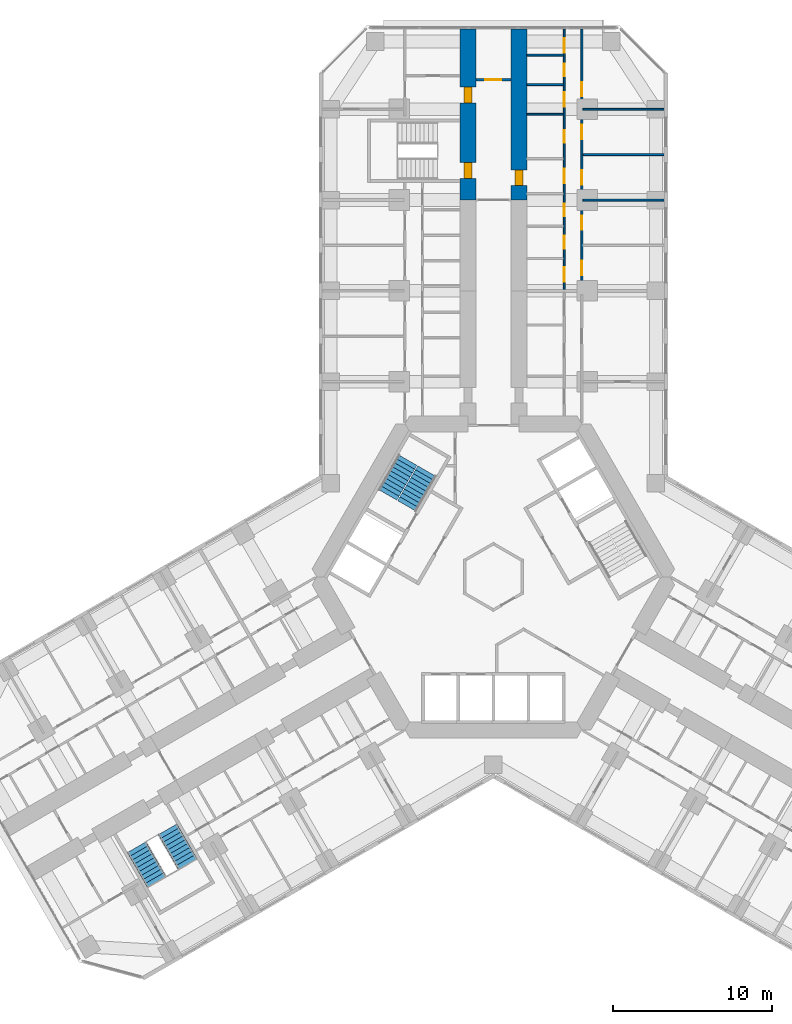
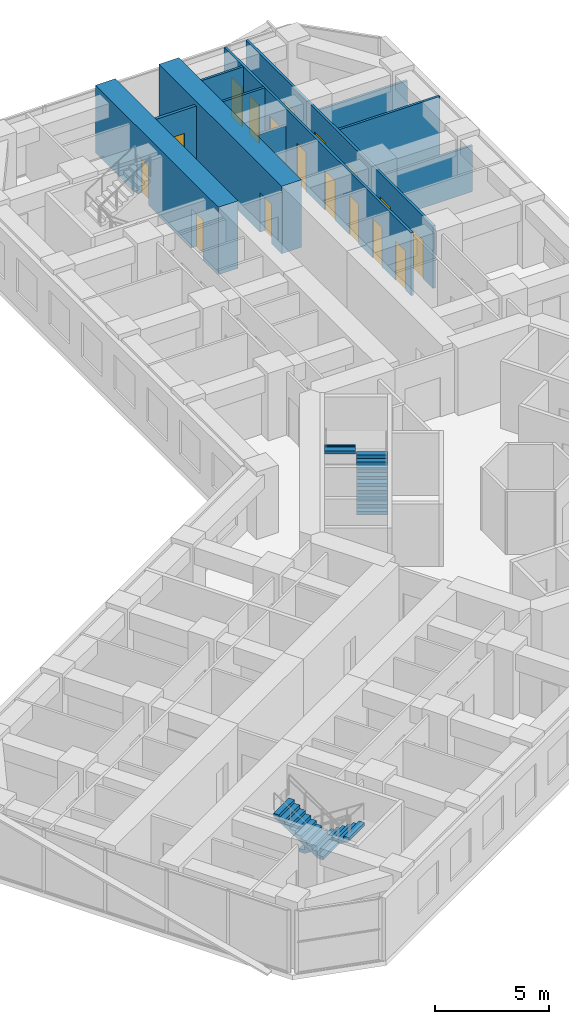
# One storey, part 19 of 21: 17 doors, 11 walls, 4 stair flights, 17 openings, 2 elements without a shape of their own.
"""IFC4 building model written with IfcOpenShell, lengths in metres."""

from ifc_helpers import new_model, si_unit, direction, frame, frame_2d, origin, place, context, subcontext, project, spatial, polyline, rectangle, outline, extrude, material, layer, layer_set, type_object, element, fill, aggregate, save


model = new_model("IFC4")

# Units and contexts
model_context = context("Model", 3, precision=1e-05, world=origin(), true_north=direction((0.0, 1.0)))
body_context = subcontext(model_context, "Body", "Model", "MODEL_VIEW")
ifc_project = project(units=[si_unit("LENGTHUNIT", "METRE"), si_unit("AREAUNIT", "SQUARE_METRE"), si_unit("VOLUMEUNIT", "CUBIC_METRE"), si_unit("PLANEANGLEUNIT", "RADIAN"), si_unit("MASSUNIT", "GRAM", prefix="KILO")], contexts=[model_context])

# Site, building, storey
site_placement = place(None, origin())
site = spatial("IfcSite", under=ifc_project, at=site_placement, CompositionType="ELEMENT")
building_placement = place(site_placement, origin())
building = spatial("IfcBuilding", under=site, at=building_placement, Name="Kosmar Iwan School Tower", CompositionType="ELEMENT")
storey_placement = place(building_placement, frame((0.0, 0.0, 43.0)))
storey = spatial("IfcBuildingStorey", under=building, at=storey_placement, Name="L09", CompositionType="ELEMENT", Elevation=43.0)

# Wall, openings, doors
ifc_material_1 = material(Name="Concrete C50/60", Category="concrete")
ifc_layer_1 = layer(ifc_material_1, 1.0)
ifc_layer_set_1 = layer_set([ifc_layer_1], Name="Corridor buttress wall 1000")
wall_type_1 = type_object("IfcWallType", Name="Corridor buttress wall 1000", PredefinedType="SHEAR", material=ifc_layer_set_1)
wall_1_placement = place(storey_placement, frame((-1.60009765625, 23.64990234375, 0.0), z_axis=(0.0, 0.0, 1.0), x_axis=(0.0, 1.0, 0.0)))
wall_1 = element("IfcWall", 1, at=wall_1_placement, inside=storey, type_object=wall_type_1, Name="Corridor wall AL bay 3", PredefinedType="SHEAR", context=body_context, shape_type="SweptSolid", body=[
    extrude(rectangle(XDim=10.7451171875, YDim=1.0, at=frame_2d((5.37255859375, 0.0))), origin(), (0.0, 0.0, 1.0), 3.60009765625),
])
opening_1_placement = place(wall_1_placement, frame((6.10009765625, 0.0, 0.0)))
opening_1 = element("IfcOpeningElement", 2, at=opening_1_placement, cuts=wall_1, Name="Opening D1", PredefinedType="OPENING", context=body_context, shape_type="SweptSolid", body=[
    extrude(rectangle(XDim=1.0, YDim=2.10009765625, at=frame_2d((0.5, 1.050048828125))), frame((0.0, 0.511962890625, 0.0), z_axis=(0.0, -1.0, 0.0), x_axis=(1.0, 0.0, 0.0)), (0.0, 0.0, 1.0), 1.02392578125),
])
opening_2_placement = place(wall_1_placement, frame((1.35009765625, 0.0, 0.0)))
opening_2 = element("IfcOpeningElement", 3, at=opening_2_placement, cuts=wall_1, Name="Opening D6", PredefinedType="OPENING", context=body_context, shape_type="SweptSolid", body=[
    extrude(rectangle(XDim=1.0, YDim=2.10009765625, at=frame_2d((0.5, 1.050048828125))), frame((0.0, 0.511962890625, 0.0), z_axis=(0.0, -1.0, 0.0), x_axis=(1.0, 0.0, 0.0)), (0.0, 0.0, 1.0), 1.02392578125),
])
ifc_material_2 = material(Name="Timber fire door in steel frame", Category="steel")
door_type_1 = type_object("IfcDoorType", Name="Flat entrance door 1000x2100", OperationType="SINGLE_SWING_LEFT", PredefinedType="DOOR", material=ifc_material_2)
door_1_placement = place(opening_1_placement, origin())
door_1 = element("IfcDoor", 4, at=door_1_placement, inside=storey, type_object=door_type_1, Name="Flat L09-AL2 entrance door", OperationType="SINGLE_SWING_RIGHT", OverallHeight=2.10009765625, OverallWidth=1.0, PredefinedType="DOOR", context=body_context, shape_type="SweptSolid", body=[
    extrude(rectangle(XDim=1.0, YDim=2.10009765625, at=frame_2d((0.5, 1.050048828125))), frame((0.0, 0.25, 0.0), z_axis=(0.0, -1.0, 0.0), x_axis=(1.0, 0.0, 0.0)), (0.0, 0.0, 1.0), 0.5),
])
fill(opening_1, door_1)
ifc_material_3 = material(Name="Steel fire door", Category="steel")
door_type_2 = type_object("IfcDoorType", Name="Stair door 1000x2100", OperationType="SINGLE_SWING_LEFT", PredefinedType="DOOR", material=ifc_material_3)
door_2_placement = place(opening_2_placement, origin())
door_2 = element("IfcDoor", 5, at=door_2_placement, inside=storey, type_object=door_type_2, Name="Stair WS1 door L09", OperationType="SINGLE_SWING_LEFT", OverallHeight=2.10009765625, OverallWidth=1.0, PredefinedType="DOOR", context=body_context, shape_type="SweptSolid", body=[
    extrude(rectangle(XDim=1.0, YDim=2.10009765625, at=frame_2d((0.5, 1.050048828125))), frame((0.0, 0.25, 0.0), z_axis=(0.0, -1.0, 0.0), x_axis=(1.0, 0.0, 0.0)), (0.0, 0.0, 1.0), 0.5),
])
fill(opening_2, door_2)

# Wall, opening, door
wall_2_placement = place(storey_placement, frame((1.60009765625, 23.64990234375, 0.0), z_axis=(0.0, 0.0, 1.0), x_axis=(0.0, 1.0, 0.0)))
wall_2 = element("IfcWall", 6, at=wall_2_placement, inside=storey, type_object=wall_type_1, Name="Corridor wall AR bay 3", PredefinedType="SHEAR", context=body_context, shape_type="SweptSolid", body=[
    extrude(rectangle(XDim=10.7451171875, YDim=1.0, at=frame_2d((5.37255859375, 0.0))), origin(), (0.0, 0.0, 1.0), 3.60009765625),
])
opening_3_placement = place(wall_2_placement, frame((0.89990234375, 0.0, 0.0)))
opening_3 = element("IfcOpeningElement", 7, at=opening_3_placement, cuts=wall_2, Name="Opening D1", PredefinedType="OPENING", context=body_context, shape_type="SweptSolid", body=[
    extrude(rectangle(XDim=1.0, YDim=2.10009765625, at=frame_2d((0.5, 1.050048828125))), frame((0.0, 0.511962890625, 0.0), z_axis=(0.0, -1.0, 0.0), x_axis=(1.0, 0.0, 0.0)), (0.0, 0.0, 1.0), 1.02392578125),
])
door_3_placement = place(opening_3_placement, origin())
door_3 = element("IfcDoor", 8, at=door_3_placement, inside=storey, type_object=door_type_1, Name="Flat L09-AR2 entrance door", OperationType="SINGLE_SWING_LEFT", OverallHeight=2.10009765625, OverallWidth=1.0, PredefinedType="DOOR", context=body_context, shape_type="SweptSolid", body=[
    extrude(rectangle(XDim=1.0, YDim=2.10009765625, at=frame_2d((0.5, 1.050048828125))), frame((0.0, 0.25, 0.0), z_axis=(0.0, -1.0, 0.0), x_axis=(1.0, 0.0, 0.0)), (0.0, 0.0, 1.0), 0.5),
])
fill(opening_3, door_3)

ifc_material_4 = material(Name="Gypsum board on steel studs, fire-rated", Category="steel")
ifc_layer_2 = layer(ifc_material_4, 0.14990234375)
ifc_layer_set_2 = layer_set([ifc_layer_2], Name="Corridor end wall 150")
wall_type_2 = type_object("IfcWallType", Name="Corridor end wall 150", PredefinedType="PARTITIONING", material=ifc_layer_set_2)
wall_3_placement = place(storey_placement, frame((1.10009765625, 31.199951171875, 0.0), z_axis=(0.0, 0.0, 1.0), x_axis=(-1.0, 0.0, 0.0)))
wall_3 = element("IfcWall", 9, at=wall_3_placement, inside=storey, type_object=wall_type_2, Name="Partition L09-A-CE", PredefinedType="PARTITIONING", context=body_context, shape_type="SweptSolid", body=[
    extrude(rectangle(XDim=2.2001953125, YDim=0.14990234375, at=frame_2d((1.10009765625, 0.0))), origin(), (0.0, 0.0, 1.0), 3.35009765625),
])
opening_4_placement = place(wall_3_placement, frame((0.60009765625, 0.0, 0.0)))
opening_4 = element("IfcOpeningElement", 10, at=opening_4_placement, cuts=wall_3, Name="Opening D13", PredefinedType="OPENING", context=body_context, shape_type="SweptSolid", body=[
    extrude(rectangle(XDim=1.0, YDim=2.10009765625, at=frame_2d((0.5, 1.050048828125))), frame((0.0, 0.0869140625, 0.0), z_axis=(0.0, -1.0, 0.0), x_axis=(1.0, 0.0, 0.0)), (0.0, 0.0, 1.0), 0.173828125),
])
ifc_material_5 = material(Name="Timber fire door with vision panel", Category="wood")
door_type_3 = type_object("IfcDoorType", Name="Corridor end door 1000x2100", OperationType="SINGLE_SWING_LEFT", PredefinedType="DOOR", material=ifc_material_5)
door_4_placement = place(opening_4_placement, origin())
door_4 = element("IfcDoor", 11, at=door_4_placement, inside=storey, type_object=door_type_3, Name="Family study room door L09-A", OperationType="SINGLE_SWING_LEFT", OverallHeight=2.10009765625, OverallWidth=1.0, PredefinedType="DOOR", context=body_context, shape_type="SweptSolid", body=[
    extrude(rectangle(XDim=1.0, YDim=2.10009765625, at=frame_2d((0.5, 1.050048828125))), frame((0.0, 0.02490234375, 0.0), z_axis=(0.0, -1.0, 0.0), x_axis=(1.0, 0.0, 0.0)), (0.0, 0.0, 1.0), 0.050048828125),
])
fill(opening_4, door_4)

# Wall, openings, doors
ifc_material_6 = material(Name="Gypsum board on steel studs", Category="steel")
ifc_layer_3 = layer(ifc_material_6, 0.1201171875)
ifc_layer_set_3 = layer_set([ifc_layer_3], Name="Dwelling partition 120")
wall_type_3 = type_object("IfcWallType", Name="Dwelling partition 120", PredefinedType="PARTITIONING", material=ifc_layer_set_3)
wall_4_placement = place(storey_placement, frame((4.449951171875, 18.050048828125, 0.0), z_axis=(0.0, 0.0, 1.0), x_axis=(0.0, 1.0, 0.0)))
wall_4 = element("IfcWall", 12, at=wall_4_placement, inside=storey, type_object=wall_type_3, Name="Partition L09-AR2-W1", PredefinedType="PARTITIONING", context=body_context, shape_type="SweptSolid", body=[
    extrude(rectangle(XDim=16.344970703125, YDim=0.1201171875, at=frame_2d((8.17236328125, 0.0))), origin(), (0.0, 0.0, 1.0), 3.35009765625),
])
opening_5_placement = place(wall_4_placement, frame((0.466796875, 0.0, 0.0)))
opening_5 = element("IfcOpeningElement", 13, at=opening_5_placement, cuts=wall_4, Name="Opening D2", PredefinedType="OPENING", context=body_context, shape_type="SweptSolid", body=[
    extrude(rectangle(XDim=0.89990234375, YDim=2.10009765625, at=frame_2d((0.449951171875, 1.050048828125))), frame((0.0, 0.072021484375, 0.0), z_axis=(0.0, -1.0, 0.0), x_axis=(1.0, 0.0, 0.0)), (0.0, 0.0, 1.0), 0.14404296875),
])
opening_6_placement = place(wall_4_placement, frame((2.550048828125, 0.0, 0.0)))
opening_6 = element("IfcOpeningElement", 14, at=opening_6_placement, cuts=wall_4, Name="Opening D3", PredefinedType="OPENING", context=body_context, shape_type="SweptSolid", body=[
    extrude(rectangle(XDim=0.800048828125, YDim=2.10009765625, at=frame_2d((0.39990234375, 1.050048828125))), frame((0.0, 0.072021484375, 0.0), z_axis=(0.0, -1.0, 0.0), x_axis=(1.0, 0.0, 0.0)), (0.0, 0.0, 1.0), 0.14404296875),
])
opening_7_placement = place(wall_4_placement, frame((4.583251953125, 0.0, 0.0)))
opening_7 = element("IfcOpeningElement", 15, at=opening_7_placement, cuts=wall_4, Name="Opening D3", PredefinedType="OPENING", context=body_context, shape_type="SweptSolid", body=[
    extrude(rectangle(XDim=0.800048828125, YDim=2.10009765625, at=frame_2d((0.39990234375, 1.050048828125))), frame((0.0, 0.072021484375, 0.0), z_axis=(0.0, -1.0, 0.0), x_axis=(1.0, 0.0, 0.0)), (0.0, 0.0, 1.0), 0.14404296875),
])
opening_8_placement = place(wall_4_placement, frame((6.64990234375, 0.0, 0.0)))
opening_8 = element("IfcOpeningElement", 16, at=opening_8_placement, cuts=wall_4, Name="Opening D2", PredefinedType="OPENING", context=body_context, shape_type="SweptSolid", body=[
    extrude(rectangle(XDim=0.89990234375, YDim=2.10009765625, at=frame_2d((0.449951171875, 1.050048828125))), frame((0.0, 0.072021484375, 0.0), z_axis=(0.0, -1.0, 0.0), x_axis=(1.0, 0.0, 0.0)), (0.0, 0.0, 1.0), 0.14404296875),
])
opening_9_placement = place(wall_4_placement, frame((9.191650390625, 0.0, 0.0)))
opening_9 = element("IfcOpeningElement", 17, at=opening_9_placement, cuts=wall_4, Name="Opening D3", PredefinedType="OPENING", context=body_context, shape_type="SweptSolid", body=[
    extrude(rectangle(XDim=0.800048828125, YDim=2.10009765625, at=frame_2d((0.39990234375, 1.050048828125))), frame((0.0, 0.072021484375, 0.0), z_axis=(0.0, -1.0, 0.0), x_axis=(1.0, 0.0, 0.0)), (0.0, 0.0, 1.0), 0.14404296875),
])
opening_10_placement = place(wall_4_placement, frame((11.461181640625, 0.0, 0.0)))
opening_10 = element("IfcOpeningElement", 18, at=opening_10_placement, cuts=wall_4, Name="Opening D2", PredefinedType="OPENING", context=body_context, shape_type="SweptSolid", body=[
    extrude(rectangle(XDim=0.89990234375, YDim=2.10009765625, at=frame_2d((0.449951171875, 1.050048828125))), frame((0.0, 0.072021484375, 0.0), z_axis=(0.0, -1.0, 0.0), x_axis=(1.0, 0.0, 0.0)), (0.0, 0.0, 1.0), 0.14404296875),
])
opening_11_placement = place(wall_4_placement, frame((13.36669921875, 0.0, 0.0)))
opening_11 = element("IfcOpeningElement", 19, at=opening_11_placement, cuts=wall_4, Name="Opening D3", PredefinedType="OPENING", context=body_context, shape_type="SweptSolid", body=[
    extrude(rectangle(XDim=0.800048828125, YDim=2.10009765625, at=frame_2d((0.39990234375, 1.050048828125))), frame((0.0, 0.072021484375, 0.0), z_axis=(0.0, -1.0, 0.0), x_axis=(1.0, 0.0, 0.0)), (0.0, 0.0, 1.0), 0.14404296875),
])
opening_12_placement = place(wall_4_placement, frame((14.8544921875, 0.0, 0.0)))
opening_12 = element("IfcOpeningElement", 20, at=opening_12_placement, cuts=wall_4, Name="Opening D2", PredefinedType="OPENING", context=body_context, shape_type="SweptSolid", body=[
    extrude(rectangle(XDim=0.89990234375, YDim=2.10009765625, at=frame_2d((0.449951171875, 1.050048828125))), frame((0.0, 0.072021484375, 0.0), z_axis=(0.0, -1.0, 0.0), x_axis=(1.0, 0.0, 0.0)), (0.0, 0.0, 1.0), 0.14404296875),
])
ifc_material_7 = material(Name="Timber door in timber frame", Category="wood")
door_type_4 = type_object("IfcDoorType", Name="Internal door 900x2100", OperationType="SINGLE_SWING_LEFT", PredefinedType="DOOR", material=ifc_material_7)
door_5_placement = place(opening_5_placement, origin())
door_5 = element("IfcDoor", 21, at=door_5_placement, inside=storey, type_object=door_type_4, Name="Utility room door L09-AR2-S1", OperationType="SINGLE_SWING_LEFT", OverallHeight=2.10009765625, OverallWidth=0.89990234375, PredefinedType="DOOR", context=body_context, shape_type="SweptSolid", body=[
    extrude(rectangle(XDim=0.89990234375, YDim=2.10009765625, at=frame_2d((0.449951171875, 1.050048828125))), frame((0.0, 0.02490234375, 0.0), z_axis=(0.0, -1.0, 0.0), x_axis=(1.0, 0.0, 0.0)), (0.0, 0.0, 1.0), 0.050048828125),
])
fill(opening_5, door_5)
door_6_placement = place(opening_8_placement, origin())
door_6 = element("IfcDoor", 22, at=door_6_placement, inside=storey, type_object=door_type_4, Name="Entrance hall door L09-AR2-S4", OperationType="SINGLE_SWING_RIGHT", OverallHeight=2.10009765625, OverallWidth=0.89990234375, PredefinedType="DOOR", context=body_context, shape_type="SweptSolid", body=[
    extrude(rectangle(XDim=0.89990234375, YDim=2.10009765625, at=frame_2d((0.449951171875, 1.050048828125))), frame((0.0, 0.02490234375, 0.0), z_axis=(0.0, -1.0, 0.0), x_axis=(1.0, 0.0, 0.0)), (0.0, 0.0, 1.0), 0.050048828125),
])
fill(opening_8, door_6)
door_7_placement = place(opening_10_placement, origin())
door_7 = element("IfcDoor", 23, at=door_7_placement, inside=storey, type_object=door_type_4, Name="Pantry door L09-AR2-S6", OperationType="SINGLE_SWING_RIGHT", OverallHeight=2.10009765625, OverallWidth=0.89990234375, PredefinedType="DOOR", context=body_context, shape_type="SweptSolid", body=[
    extrude(rectangle(XDim=0.89990234375, YDim=2.10009765625, at=frame_2d((0.449951171875, 1.050048828125))), frame((0.0, 0.02490234375, 0.0), z_axis=(0.0, -1.0, 0.0), x_axis=(1.0, 0.0, 0.0)), (0.0, 0.0, 1.0), 0.050048828125),
])
fill(opening_10, door_7)
door_8_placement = place(opening_12_placement, origin())
door_8 = element("IfcDoor", 24, at=door_8_placement, inside=storey, type_object=door_type_4, Name="Dressing room door L09-AR2-S8", OperationType="SINGLE_SWING_LEFT", OverallHeight=2.10009765625, OverallWidth=0.89990234375, PredefinedType="DOOR", context=body_context, shape_type="SweptSolid", body=[
    extrude(rectangle(XDim=0.89990234375, YDim=2.10009765625, at=frame_2d((0.449951171875, 1.050048828125))), frame((0.0, 0.02490234375, 0.0), z_axis=(0.0, -1.0, 0.0), x_axis=(1.0, 0.0, 0.0)), (0.0, 0.0, 1.0), 0.050048828125),
])
fill(opening_12, door_8)
ifc_material_8 = material(Name="Timber door in timber frame", Category="wood")
door_type_5 = type_object("IfcDoorType", Name="Sanitary room door 800x2100", OperationType="SINGLE_SWING_LEFT", PredefinedType="DOOR", material=ifc_material_8)
door_9_placement = place(opening_6_placement, origin())
door_9 = element("IfcDoor", 25, at=door_9_placement, inside=storey, type_object=door_type_5, Name="WC door L09-AR2-S2", OperationType="SINGLE_SWING_RIGHT", OverallHeight=2.10009765625, OverallWidth=0.800048828125, PredefinedType="DOOR", context=body_context, shape_type="SweptSolid", body=[
    extrude(rectangle(XDim=0.800048828125, YDim=2.10009765625, at=frame_2d((0.39990234375, 1.050048828125))), frame((0.0, 0.02490234375, 0.0), z_axis=(0.0, -1.0, 0.0), x_axis=(1.0, 0.0, 0.0)), (0.0, 0.0, 1.0), 0.050048828125),
])
fill(opening_6, door_9)
door_10_placement = place(opening_7_placement, origin())
door_10 = element("IfcDoor", 26, at=door_10_placement, inside=storey, type_object=door_type_5, Name="Shower room door L09-AR2-S3", OperationType="SINGLE_SWING_LEFT", OverallHeight=2.10009765625, OverallWidth=0.800048828125, PredefinedType="DOOR", context=body_context, shape_type="SweptSolid", body=[
    extrude(rectangle(XDim=0.800048828125, YDim=2.10009765625, at=frame_2d((0.39990234375, 1.050048828125))), frame((0.0, 0.02490234375, 0.0), z_axis=(0.0, -1.0, 0.0), x_axis=(1.0, 0.0, 0.0)), (0.0, 0.0, 1.0), 0.050048828125),
])
fill(opening_7, door_10)
door_11_placement = place(opening_9_placement, origin())
door_11 = element("IfcDoor", 27, at=door_11_placement, inside=storey, type_object=door_type_5, Name="Bathroom door L09-AR2-S5", OperationType="SINGLE_SWING_LEFT", OverallHeight=2.10009765625, OverallWidth=0.800048828125, PredefinedType="DOOR", context=body_context, shape_type="SweptSolid", body=[
    extrude(rectangle(XDim=0.800048828125, YDim=2.10009765625, at=frame_2d((0.39990234375, 1.050048828125))), frame((0.0, 0.02490234375, 0.0), z_axis=(0.0, -1.0, 0.0), x_axis=(1.0, 0.0, 0.0)), (0.0, 0.0, 1.0), 0.050048828125),
])
fill(opening_9, door_11)
door_12_placement = place(opening_11_placement, origin())
door_12 = element("IfcDoor", 28, at=door_12_placement, inside=storey, type_object=door_type_5, Name="Store door L09-AR2-S7", OperationType="SINGLE_SWING_LEFT", OverallHeight=2.10009765625, OverallWidth=0.800048828125, PredefinedType="DOOR", context=body_context, shape_type="SweptSolid", body=[
    extrude(rectangle(XDim=0.800048828125, YDim=2.10009765625, at=frame_2d((0.39990234375, 1.050048828125))), frame((0.0, 0.02490234375, 0.0), z_axis=(0.0, -1.0, 0.0), x_axis=(1.0, 0.0, 0.0)), (0.0, 0.0, 1.0), 0.050048828125),
])
fill(opening_11, door_12)

wall_5_placement = place(storey_placement, frame((5.550048828125, 18.050048828125, 0.0), z_axis=(0.0, 0.0, 1.0), x_axis=(0.0, 1.0, 0.0)))
wall_5 = element("IfcWall", 29, at=wall_5_placement, inside=storey, type_object=wall_type_3, Name="Partition L09-AR2-W2", PredefinedType="PARTITIONING", context=body_context, shape_type="SweptSolid", body=[
    extrude(rectangle(XDim=16.344970703125, YDim=0.1201171875, at=frame_2d((8.17236328125, 0.0))), origin(), (0.0, 0.0, 1.0), 3.35009765625),
])
opening_13_placement = place(wall_5_placement, frame((0.875, 0.0, 0.0)))
opening_13 = element("IfcOpeningElement", 30, at=opening_13_placement, cuts=wall_5, Name="Opening D2", PredefinedType="OPENING", context=body_context, shape_type="SweptSolid", body=[
    extrude(rectangle(XDim=0.89990234375, YDim=2.10009765625, at=frame_2d((0.449951171875, 1.050048828125))), frame((0.0, 0.072021484375, 0.0), z_axis=(0.0, -1.0, 0.0), x_axis=(1.0, 0.0, 0.0)), (0.0, 0.0, 1.0), 0.14404296875),
])
opening_14_placement = place(wall_5_placement, frame((3.72509765625, 0.0, 0.0)))
opening_14 = element("IfcOpeningElement", 31, at=opening_14_placement, cuts=wall_5, Name="Opening D2", PredefinedType="OPENING", context=body_context, shape_type="SweptSolid", body=[
    extrude(rectangle(XDim=0.89990234375, YDim=2.10009765625, at=frame_2d((0.449951171875, 1.050048828125))), frame((0.0, 0.072021484375, 0.0), z_axis=(0.0, -1.0, 0.0), x_axis=(1.0, 0.0, 0.0)), (0.0, 0.0, 1.0), 0.14404296875),
])
opening_15_placement = place(wall_5_placement, frame((6.574951171875, 0.0, 0.0)))
opening_15 = element("IfcOpeningElement", 32, at=opening_15_placement, cuts=wall_5, Name="Opening D2", PredefinedType="OPENING", context=body_context, shape_type="SweptSolid", body=[
    extrude(rectangle(XDim=0.89990234375, YDim=2.10009765625, at=frame_2d((0.449951171875, 1.050048828125))), frame((0.0, 0.072021484375, 0.0), z_axis=(0.0, -1.0, 0.0), x_axis=(1.0, 0.0, 0.0)), (0.0, 0.0, 1.0), 0.14404296875),
])
opening_16_placement = place(wall_5_placement, frame((9.425048828125, 0.0, 0.0)))
opening_16 = element("IfcOpeningElement", 33, at=opening_16_placement, cuts=wall_5, Name="Opening D2", PredefinedType="OPENING", context=body_context, shape_type="SweptSolid", body=[
    extrude(rectangle(XDim=0.89990234375, YDim=2.10009765625, at=frame_2d((0.449951171875, 1.050048828125))), frame((0.0, 0.072021484375, 0.0), z_axis=(0.0, -1.0, 0.0), x_axis=(1.0, 0.0, 0.0)), (0.0, 0.0, 1.0), 0.14404296875),
])
opening_17_placement = place(wall_5_placement, frame((12.10009765625, 0.0, 0.0)))
opening_17 = element("IfcOpeningElement", 34, at=opening_17_placement, cuts=wall_5, Name="Opening D2", PredefinedType="OPENING", context=body_context, shape_type="SweptSolid", body=[
    extrude(rectangle(XDim=0.89990234375, YDim=2.10009765625, at=frame_2d((0.449951171875, 1.050048828125))), frame((0.0, 0.072021484375, 0.0), z_axis=(0.0, -1.0, 0.0), x_axis=(1.0, 0.0, 0.0)), (0.0, 0.0, 1.0), 0.14404296875),
])
door_13_placement = place(opening_13_placement, origin())
door_13 = element("IfcDoor", 35, at=door_13_placement, inside=storey, type_object=door_type_4, Name="Bedroom 1 door L09-AR2-F1", OperationType="SINGLE_SWING_LEFT", OverallHeight=2.10009765625, OverallWidth=0.89990234375, PredefinedType="DOOR", context=body_context, shape_type="SweptSolid", body=[
    extrude(rectangle(XDim=0.89990234375, YDim=2.10009765625, at=frame_2d((0.449951171875, 1.050048828125))), frame((0.0, 0.02490234375, 0.0), z_axis=(0.0, -1.0, 0.0), x_axis=(1.0, 0.0, 0.0)), (0.0, 0.0, 1.0), 0.050048828125),
])
fill(opening_13, door_13)
door_14_placement = place(opening_14_placement, origin())
door_14 = element("IfcDoor", 36, at=door_14_placement, inside=storey, type_object=door_type_4, Name="Bedroom 2 door L09-AR2-F2", OperationType="SINGLE_SWING_LEFT", OverallHeight=2.10009765625, OverallWidth=0.89990234375, PredefinedType="DOOR", context=body_context, shape_type="SweptSolid", body=[
    extrude(rectangle(XDim=0.89990234375, YDim=2.10009765625, at=frame_2d((0.449951171875, 1.050048828125))), frame((0.0, 0.02490234375, 0.0), z_axis=(0.0, -1.0, 0.0), x_axis=(1.0, 0.0, 0.0)), (0.0, 0.0, 1.0), 0.050048828125),
])
fill(opening_14, door_14)
door_15_placement = place(opening_15_placement, origin())
door_15 = element("IfcDoor", 37, at=door_15_placement, inside=storey, type_object=door_type_4, Name="Bedroom 3 door L09-AR2-F3", OperationType="SINGLE_SWING_LEFT", OverallHeight=2.10009765625, OverallWidth=0.89990234375, PredefinedType="DOOR", context=body_context, shape_type="SweptSolid", body=[
    extrude(rectangle(XDim=0.89990234375, YDim=2.10009765625, at=frame_2d((0.449951171875, 1.050048828125))), frame((0.0, 0.02490234375, 0.0), z_axis=(0.0, -1.0, 0.0), x_axis=(1.0, 0.0, 0.0)), (0.0, 0.0, 1.0), 0.050048828125),
])
fill(opening_15, door_15)
door_16_placement = place(opening_16_placement, origin())
door_16 = element("IfcDoor", 38, at=door_16_placement, inside=storey, type_object=door_type_4, Name="Study door L09-AR2-F4", OperationType="SINGLE_SWING_RIGHT", OverallHeight=2.10009765625, OverallWidth=0.89990234375, PredefinedType="DOOR", context=body_context, shape_type="SweptSolid", body=[
    extrude(rectangle(XDim=0.89990234375, YDim=2.10009765625, at=frame_2d((0.449951171875, 1.050048828125))), frame((0.0, 0.02490234375, 0.0), z_axis=(0.0, -1.0, 0.0), x_axis=(1.0, 0.0, 0.0)), (0.0, 0.0, 1.0), 0.050048828125),
])
fill(opening_16, door_16)
door_17_placement = place(opening_17_placement, origin())
door_17 = element("IfcDoor", 39, at=door_17_placement, inside=storey, type_object=door_type_4, Name="Living room and kitchen door L09-AR2-F5", OperationType="SINGLE_SWING_RIGHT", OverallHeight=2.10009765625, OverallWidth=0.89990234375, PredefinedType="DOOR", context=body_context, shape_type="SweptSolid", body=[
    extrude(rectangle(XDim=0.89990234375, YDim=2.10009765625, at=frame_2d((0.449951171875, 1.050048828125))), frame((0.0, 0.02490234375, 0.0), z_axis=(0.0, -1.0, 0.0), x_axis=(1.0, 0.0, 0.0)), (0.0, 0.0, 1.0), 0.050048828125),
])
fill(opening_17, door_17)

# Walls
wall_6_placement = place(storey_placement, frame((5.610107421875, 23.64990234375, 0.0), z_axis=(0.0, 0.0, 1.0), x_axis=(1.0, 0.0, 0.0)))
element("IfcWall", 40, at=wall_6_placement, inside=storey, type_object=wall_type_3, Name="Partition L09-AR2-X2", PredefinedType="PARTITIONING", context=body_context, shape_type="SweptSolid", body=[
    extrude(rectangle(XDim=5.08984375, YDim=0.1201171875, at=frame_2d((2.544921875, 0.0))), origin(), (0.0, 0.0, 1.0), 2.449951171875),
])
wall_7_placement = place(storey_placement, frame((5.610107421875, 26.5, 0.0), z_axis=(0.0, 0.0, 1.0), x_axis=(1.0, 0.0, 0.0)))
element("IfcWall", 41, at=wall_7_placement, inside=storey, type_object=wall_type_3, Name="Partition L09-AR2-X3", PredefinedType="PARTITIONING", context=body_context, shape_type="SweptSolid", body=[
    extrude(rectangle(XDim=5.08984375, YDim=0.1201171875, at=frame_2d((2.544921875, 0.0))), origin(), (0.0, 0.0, 1.0), 3.35009765625),
])
wall_8_placement = place(storey_placement, frame((5.610107421875, 29.35009765625, 0.0), z_axis=(0.0, 0.0, 1.0), x_axis=(1.0, 0.0, 0.0)))
element("IfcWall", 42, at=wall_8_placement, inside=storey, type_object=wall_type_3, Name="Partition L09-AR2-X4", PredefinedType="PARTITIONING", context=body_context, shape_type="SweptSolid", body=[
    extrude(rectangle(XDim=5.08984375, YDim=0.1201171875, at=frame_2d((2.544921875, 0.0))), origin(), (0.0, 0.0, 1.0), 2.449951171875),
])
wall_9_placement = place(storey_placement, frame((2.10009765625, 29.033447265625, 0.0), z_axis=(0.0, 0.0, 1.0), x_axis=(1.0, 0.0, 0.0)))
element("IfcWall", 43, at=wall_9_placement, inside=storey, type_object=wall_type_3, Name="Partition L09-AR2-Y5", PredefinedType="PARTITIONING", context=body_context, shape_type="SweptSolid", body=[
    extrude(rectangle(XDim=2.289794921875, YDim=0.1201171875, at=frame_2d((1.14501953125, 0.0))), origin(), (0.0, 0.0, 1.0), 2.449951171875),
])
for number, where, z_axis, x_axis, name in (
    (44, (2.10009765625, 30.888916015625, 0.0), (0.0, 0.0, 1.0), (1.0, 0.0, 0.0), "Partition L09-AR2-Y6"),
    (45, (2.10009765625, 32.744384765625, 0.0), (0.0, 0.0, 1.0), (1.0, 0.0, 0.0), "Partition L09-AR2-Y7"),
):
    element("IfcWall", number, at=place(storey_placement, frame(where, z_axis=z_axis, x_axis=x_axis)), inside=storey, type_object=wall_type_3, Name=name, PredefinedType="PARTITIONING", context=body_context, shape_type="SweptSolid", body=[
        extrude(rectangle(XDim=2.289794921875, YDim=0.1201171875, at=frame_2d((1.14501953125, 0.0))), origin(), (0.0, 0.0, 1.0), 3.35009765625),
    ])

# Stair, stair flights
ifc_material_9 = material(Name="Concrete C35/45", Category="concrete")
stair_type_1 = type_object("IfcStairType", Name="Escape stair 3600", PredefinedType="HALF_TURN_STAIR", material=ifc_material_9)
stair_1_placement = place(storey_placement, origin())
stair_1 = element("IfcStair", 46, at=stair_1_placement, inside=storey, type_object=stair_type_1, Name="Stair WS2 L09", PredefinedType="HALF_TURN_STAIR")
ifc_material_10 = material(Name="Concrete C35/45", Category="concrete")
stair_flight_type_1 = type_object("IfcStairFlightType", Name="Escape stair flight 1350", PredefinedType="STRAIGHT", material=ifc_material_10)
stair_flight_1_placement = place(storey_placement, frame((-20.44189453125, -15.843505859375, 0.0), z_axis=(0.0, 0.0, 1.0), x_axis=(0.5, -0.866025403784, 0.0)))
stair_flight_1 = element("IfcStairFlight", 47, at=stair_flight_1_placement, type_object=stair_flight_type_1, Name="WS2 flight 1", NumberOfRisers=10, NumberOfTreads=9, PredefinedType="STRAIGHT", RiserHeight=0.18, TreadLength=0.28, context=body_context, shape_type="SweptSolid", body=[
    extrude(outline(polyline([(0.0, 0.0), (0.0, 0.179931640625), (0.280029296875, 0.179931640625), (0.280029296875, 0.360107421875), (0.56005859375, 0.360107421875), (0.56005859375, 0.5400390625), (0.840087890625, 0.5400390625), (0.840087890625, 0.719970703125), (1.1201171875, 0.719970703125), (1.1201171875, 0.89990234375), (1.39990234375, 0.89990234375), (1.39990234375, 1.080078125), (1.679931640625, 1.080078125), (1.679931640625, 1.260009765625), (1.9599609375, 1.260009765625), (1.9599609375, 1.43994140625), (2.239990234375, 1.43994140625), (2.239990234375, 1.6201171875), (2.52001953125, 1.6201171875), (2.52001953125, 1.800048828125), (2.52001953125, 1.44189453125), (0.277099609375, 0.0), (0.0, 0.0)])), frame((0.0, 0.675048828125, 0.0), z_axis=(0.0, -1.0, 0.0), x_axis=(1.0, 0.0, 0.0)), (0.0, 0.0, 1.0), 1.35009765625),
])
stair_flight_2_placement = place(storey_placement, frame((-21.13037109375, -19.15087890625, 1.800048828125), z_axis=(0.0, 0.0, 1.0), x_axis=(-0.5, 0.866025403784, 0.0)))
stair_flight_2 = element("IfcStairFlight", 48, at=stair_flight_2_placement, type_object=stair_flight_type_1, Name="WS2 flight 2", NumberOfRisers=10, NumberOfTreads=9, PredefinedType="STRAIGHT", RiserHeight=0.18, TreadLength=0.28, context=body_context, shape_type="SweptSolid", body=[
    extrude(outline(polyline([(0.0, 0.0), (0.0, 0.179931640625), (0.280029296875, 0.179931640625), (0.280029296875, 0.360107421875), (0.56005859375, 0.360107421875), (0.56005859375, 0.5400390625), (0.840087890625, 0.5400390625), (0.840087890625, 0.719970703125), (1.1201171875, 0.719970703125), (1.1201171875, 0.89990234375), (1.39990234375, 0.89990234375), (1.39990234375, 1.080078125), (1.679931640625, 1.080078125), (1.679931640625, 1.260009765625), (1.9599609375, 1.260009765625), (1.9599609375, 1.43994140625), (2.239990234375, 1.43994140625), (2.239990234375, 1.6201171875), (2.52001953125, 1.6201171875), (2.52001953125, 1.800048828125), (2.52001953125, 1.44189453125), (0.277099609375, 0.0), (0.0, 0.0)])), frame((0.0, 0.675048828125, 0.0), z_axis=(0.0, -1.0, 0.0), x_axis=(1.0, 0.0, 0.0)), (0.0, 0.0, 1.0), 1.35009765625),
])
aggregate(stair_1, [stair_flight_1, stair_flight_2])

ifc_material_11 = material(Name="Concrete C35/45", Category="concrete")
stair_type_2 = type_object("IfcStairType", Name="Core stair 2750", PredefinedType="HALF_TURN_STAIR", material=ifc_material_11)
stair_2_placement = place(storey_placement, origin())
stair_2 = element("IfcStair", 49, at=stair_2_placement, inside=storey, type_object=stair_type_2, Name="Stair ST2 L09", PredefinedType="HALF_TURN_STAIR")
ifc_material_12 = material(Name="Concrete C35/45", Category="concrete")
stair_flight_type_2 = type_object("IfcStairFlightType", Name="Stair flight 1350", PredefinedType="STRAIGHT", material=ifc_material_12)
stair_flight_3_placement = place(storey_placement, frame((-5.42724609375, 4.44970703125, 0.0), z_axis=(0.0, 0.0, 1.0), x_axis=(0.5, 0.866025403784, 0.0)))
stair_flight_3 = element("IfcStairFlight", 50, at=stair_flight_3_placement, type_object=stair_flight_type_2, Name="ST2 flight 1", NumberOfRisers=10, NumberOfTreads=9, PredefinedType="STRAIGHT", RiserHeight=0.18, TreadLength=0.28, context=body_context, shape_type="SweptSolid", body=[
    extrude(outline(polyline([(0.0, 0.0), (0.0, 0.179931640625), (0.280029296875, 0.179931640625), (0.280029296875, 0.360107421875), (0.56005859375, 0.360107421875), (0.56005859375, 0.5400390625), (0.840087890625, 0.5400390625), (0.840087890625, 0.719970703125), (1.1201171875, 0.719970703125), (1.1201171875, 0.89990234375), (1.39990234375, 0.89990234375), (1.39990234375, 1.080078125), (1.679931640625, 1.080078125), (1.679931640625, 1.260009765625), (1.9599609375, 1.260009765625), (1.9599609375, 1.43994140625), (2.239990234375, 1.43994140625), (2.239990234375, 1.6201171875), (2.52001953125, 1.6201171875), (2.52001953125, 1.800048828125), (2.52001953125, 1.44189453125), (0.277099609375, 0.0), (0.0, 0.0)])), frame((0.0, 0.675048828125, 0.0), z_axis=(0.0, -1.0, 0.0), x_axis=(1.0, 0.0, 0.0)), (0.0, 0.0, 1.0), 1.35009765625),
])
stair_flight_4_placement = place(storey_placement, frame((-5.379638671875, 7.33203125, 1.800048828125), z_axis=(0.0, 0.0, 1.0), x_axis=(-0.5, -0.866025403784, 0.0)))
stair_flight_4 = element("IfcStairFlight", 51, at=stair_flight_4_placement, type_object=stair_flight_type_2, Name="ST2 flight 2", NumberOfRisers=10, NumberOfTreads=9, PredefinedType="STRAIGHT", RiserHeight=0.18, TreadLength=0.28, context=body_context, shape_type="SweptSolid", body=[
    extrude(outline(polyline([(0.0, 0.0), (0.0, 0.179931640625), (0.280029296875, 0.179931640625), (0.280029296875, 0.360107421875), (0.56005859375, 0.360107421875), (0.56005859375, 0.5400390625), (0.840087890625, 0.5400390625), (0.840087890625, 0.719970703125), (1.1201171875, 0.719970703125), (1.1201171875, 0.89990234375), (1.39990234375, 0.89990234375), (1.39990234375, 1.080078125), (1.679931640625, 1.080078125), (1.679931640625, 1.260009765625), (1.9599609375, 1.260009765625), (1.9599609375, 1.43994140625), (2.239990234375, 1.43994140625), (2.239990234375, 1.6201171875), (2.52001953125, 1.6201171875), (2.52001953125, 1.800048828125), (2.52001953125, 1.44189453125), (0.277099609375, 0.0), (0.0, 0.0)])), frame((0.0, 0.675048828125, 0.0), z_axis=(0.0, -1.0, 0.0), x_axis=(1.0, 0.0, 0.0)), (0.0, 0.0, 1.0), 1.35009765625),
])
aggregate(stair_2, [stair_flight_3, stair_flight_4])

save(model, "model.ifc")
